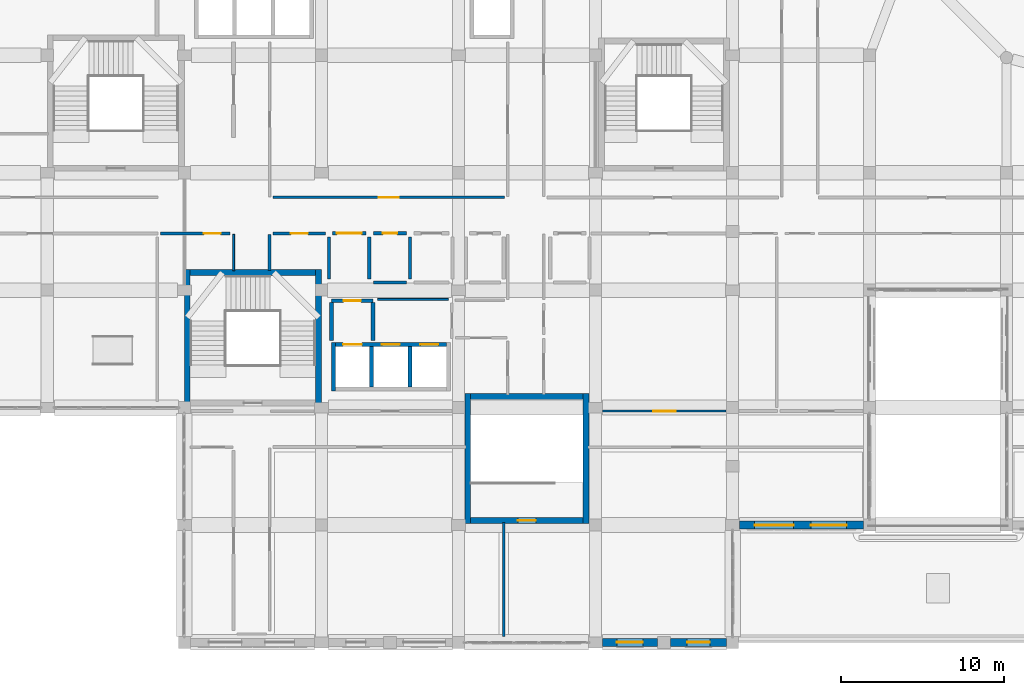
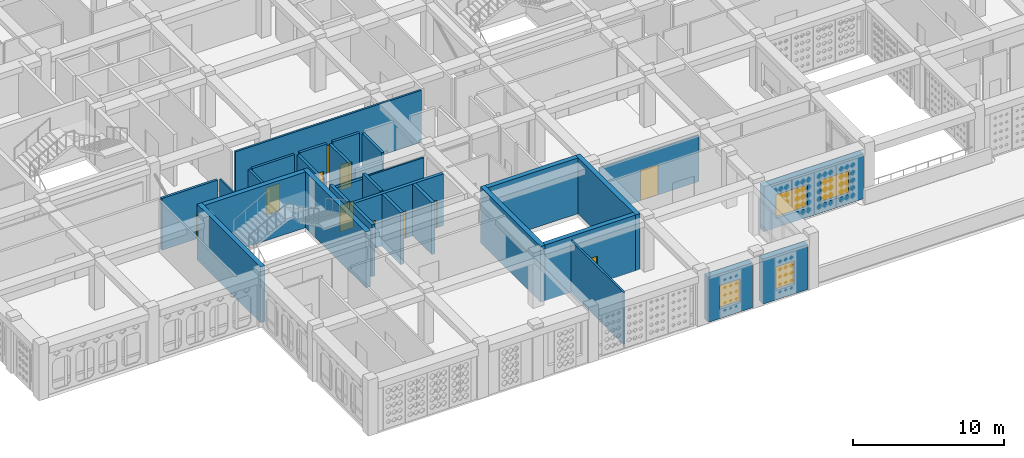
# One storey, part 56 of 111: 31 walls, 11 doors, 4 windows, 15 openings.
"""IFC4 building model written with IfcOpenShell, lengths in metres."""

from ifc_helpers import new_model, si_unit, derived_unit, direction, frame, frame_2d, origin, place, context, subcontext, project, spatial, rectangle, extrude, material, layer, layer_set, type_object, element, fill, save


model = new_model("IFC4")

# Units and contexts
model_context = context("Model", 3, precision=1e-05, world=origin(), true_north=direction((0.0, 1.0)))
body_context = subcontext(model_context, "Body", "Model", "MODEL_VIEW")
ifc_project = project(units=[si_unit("LENGTHUNIT", "METRE"), si_unit("AREAUNIT", "SQUARE_METRE"), si_unit("VOLUMEUNIT", "CUBIC_METRE"), si_unit("PLANEANGLEUNIT", "RADIAN"), si_unit("MASSUNIT", "GRAM", prefix="KILO"), derived_unit("THERMALTRANSMITTANCEUNIT", [(si_unit("POWERUNIT", "WATT"), 1), (si_unit("LENGTHUNIT", "METRE"), -2), (si_unit("THERMODYNAMICTEMPERATUREUNIT", "KELVIN"), -1)])], contexts=[model_context])

# Site, building, storey
site_placement = place(None, origin())
site = spatial("IfcSite", under=ifc_project, at=site_placement, CompositionType="ELEMENT")
building_placement = place(site_placement, origin())
building = spatial("IfcBuilding", under=site, at=building_placement, Name="Veybourne Emporium", CompositionType="ELEMENT")
storey_placement = place(building_placement, frame((0.0, 0.0, 9.89990234375)))
storey = spatial("IfcBuildingStorey", under=building, at=storey_placement, Name="L02", CompositionType="ELEMENT", Elevation=9.89990234375)

# Wall, opening, window
ifc_material_1 = material(Name="Portland Limestone Ashlar", Category="masonry")
ifc_layer_1 = layer(ifc_material_1, 0.47998046875)
ifc_layer_set_1 = layer_set([ifc_layer_1], Name="Portland Limestone Ashlar")
wall_type_1 = type_object("IfcWallType", Name="ExtWall_EW-01", PredefinedType="SOLIDWALL", material=ifc_layer_set_1)
wall_1_placement = place(storey_placement, frame((50.02490234375, 0.0, 0.0), z_axis=(0.0, 0.0, 1.0), x_axis=(-1.0, 0.0, 0.0)))
wall_1 = element("IfcWall", 1, at=wall_1_placement, inside=storey, type_object=wall_type_1, Name="L02 Portland stone external wall 026A", PredefinedType="SOLIDWALL", context=body_context, shape_type="SweptSolid", body=[
    extrude(rectangle(XDim=3.4248046875, YDim=0.47998046875, at=frame_2d((1.71240234375, 0.0))), origin(), (0.0, 0.0, 1.0), 3.630126953125),
])
opening_1_placement = place(wall_1_placement, frame((1.012451171875, 0.0, 0.75)))
opening_1 = element("IfcOpeningElement", 2, at=opening_1_placement, cuts=wall_1, Name="Opening W-02", PredefinedType="OPENING", context=body_context, shape_type="SweptSolid", body=[
    extrude(rectangle(XDim=1.39990234375, YDim=1.89990234375, at=frame_2d((0.699951171875, 0.949951171875))), frame((0.0, 0.260009765625, 0.0), z_axis=(0.0, -1.0, 0.0), x_axis=(1.0, 0.0, 0.0)), (0.0, 0.0, 1.0), 0.52001953125),
])
ifc_material_2 = material(Name="Low-E Triple Glazing", Category="glass")
window_type_1 = type_object("IfcWindowType", Name="Win_W-02", PartitioningType="DOUBLE_PANEL_VERTICAL", PredefinedType="WINDOW", material=ifc_material_2)
window_1_placement = place(opening_1_placement, origin())
window_1 = element("IfcWindow", 3, at=window_1_placement, inside=storey, type_object=window_type_1, Name="L02 tripartite bronze casement window W-02 (26A)", OverallHeight=1.89990234375, OverallWidth=1.39990234375, PartitioningType="DOUBLE_PANEL_VERTICAL", PredefinedType="WINDOW", context=body_context, shape_type="SweptSolid", body=[
    extrude(rectangle(XDim=1.39990234375, YDim=1.89990234375, at=frame_2d((0.699951171875, 0.949951171875))), frame((0.0, 0.030029296875, 0.0), z_axis=(0.0, -1.0, 0.0), x_axis=(1.0, 0.0, 0.0)), (0.0, 0.0, 1.0), 0.06005859375),
])
fill(opening_1, window_1)

wall_2_placement = place(storey_placement, frame((45.800048828125, 0.0, 0.0), z_axis=(0.0, 0.0, 1.0), x_axis=(-1.0, 0.0, 0.0)))
wall_2 = element("IfcWall", 4, at=wall_2_placement, inside=storey, type_object=wall_type_1, Name="L02 Portland stone external wall 026B", PredefinedType="SOLIDWALL", context=body_context, shape_type="SweptSolid", body=[
    extrude(rectangle(XDim=3.375, YDim=0.47998046875, at=frame_2d((1.6875, 0.0))), origin(), (0.0, 0.0, 1.0), 3.630126953125),
])
opening_2_placement = place(wall_2_placement, frame((0.887451171875, 0.0, 0.75)))
opening_2 = element("IfcOpeningElement", 5, at=opening_2_placement, cuts=wall_2, Name="Opening W-03", PredefinedType="OPENING", context=body_context, shape_type="SweptSolid", body=[
    extrude(rectangle(XDim=1.60009765625, YDim=1.89990234375, at=frame_2d((0.800048828125, 0.949951171875))), frame((0.0, 0.260009765625, 0.0), z_axis=(0.0, -1.0, 0.0), x_axis=(1.0, 0.0, 0.0)), (0.0, 0.0, 1.0), 0.52001953125),
])
window_type_2 = type_object("IfcWindowType", Name="Win_W-03", PartitioningType="DOUBLE_PANEL_VERTICAL", PredefinedType="WINDOW", material=ifc_material_2)
window_2_placement = place(opening_2_placement, origin())
window_2 = element("IfcWindow", 6, at=window_2_placement, inside=storey, type_object=window_type_2, Name="L02 tripartite bronze casement window W-03 (26B)", OverallHeight=1.89990234375, OverallWidth=1.60009765625, PartitioningType="DOUBLE_PANEL_VERTICAL", PredefinedType="WINDOW", context=body_context, shape_type="SweptSolid", body=[
    extrude(rectangle(XDim=1.60009765625, YDim=1.89990234375, at=frame_2d((0.800048828125, 0.949951171875))), frame((0.0, 0.030029296875, 0.0), z_axis=(0.0, -1.0, 0.0), x_axis=(1.0, 0.0, 0.0)), (0.0, 0.0, 1.0), 0.06005859375),
])
fill(opening_2, window_2)

# Wall, openings, windows
wall_3_placement = place(storey_placement, frame((58.425048828125, 7.199951171875, 0.0), z_axis=(0.0, 0.0, 1.0), x_axis=(-1.0, 0.0, 0.0)))
wall_3 = element("IfcWall", 7, at=wall_3_placement, inside=storey, type_object=wall_type_1, Name="L02 Portland stone external wall 029", PredefinedType="SOLIDWALL", context=body_context, shape_type="SweptSolid", body=[
    extrude(rectangle(XDim=7.60009765625, YDim=0.47998046875, at=frame_2d((3.800048828125, 0.0))), origin(), (0.0, 0.0, 1.0), 3.630126953125),
])
opening_3_placement = place(wall_3_placement, frame((1.028076171875, 0.0, 0.75)))
opening_3 = element("IfcOpeningElement", 8, at=opening_3_placement, cuts=wall_3, Name="Opening W-06", PredefinedType="OPENING", context=body_context, shape_type="SweptSolid", body=[
    extrude(rectangle(XDim=2.199951171875, YDim=1.89990234375, at=frame_2d((1.10009765625, 0.949951171875))), frame((0.0, 0.260009765625, 0.0), z_axis=(0.0, -1.0, 0.0), x_axis=(1.0, 0.0, 0.0)), (0.0, 0.0, 1.0), 0.52001953125),
])
opening_4_placement = place(wall_3_placement, frame((4.27197265625, 0.0, 0.75)))
opening_4 = element("IfcOpeningElement", 9, at=opening_4_placement, cuts=wall_3, Name="Opening W-07", PredefinedType="OPENING", context=body_context, shape_type="SweptSolid", body=[
    extrude(rectangle(XDim=2.39990234375, YDim=1.89990234375, at=frame_2d((1.199951171875, 0.949951171875))), frame((0.0, 0.260009765625, 0.0), z_axis=(0.0, -1.0, 0.0), x_axis=(1.0, 0.0, 0.0)), (0.0, 0.0, 1.0), 0.52001953125),
])
window_type_3 = type_object("IfcWindowType", Name="Win_W-06", PartitioningType="TRIPLE_PANEL_VERTICAL", PredefinedType="WINDOW", material=ifc_material_2)
window_3_placement = place(opening_3_placement, origin())
window_3 = element("IfcWindow", 10, at=window_3_placement, inside=storey, type_object=window_type_3, Name="L02 tripartite bronze casement window W-06 (29.1)", OverallHeight=1.89990234375, OverallWidth=2.199951171875, PartitioningType="TRIPLE_PANEL_VERTICAL", PredefinedType="WINDOW", context=body_context, shape_type="SweptSolid", body=[
    extrude(rectangle(XDim=2.199951171875, YDim=1.89990234375, at=frame_2d((1.10009765625, 0.949951171875))), frame((0.0, 0.030029296875, 0.0), z_axis=(0.0, -1.0, 0.0), x_axis=(1.0, 0.0, 0.0)), (0.0, 0.0, 1.0), 0.06005859375),
])
fill(opening_3, window_3)
window_type_4 = type_object("IfcWindowType", Name="Win_W-07", PartitioningType="TRIPLE_PANEL_VERTICAL", PredefinedType="WINDOW", material=ifc_material_2)
window_4_placement = place(opening_4_placement, origin())
window_4 = element("IfcWindow", 11, at=window_4_placement, inside=storey, type_object=window_type_4, Name="L02 tripartite bronze casement window W-07 (29.2)", OverallHeight=1.89990234375, OverallWidth=2.39990234375, PartitioningType="TRIPLE_PANEL_VERTICAL", PredefinedType="WINDOW", context=body_context, shape_type="SweptSolid", body=[
    extrude(rectangle(XDim=2.39990234375, YDim=1.89990234375, at=frame_2d((1.199951171875, 0.949951171875))), frame((0.0, 0.030029296875, 0.0), z_axis=(0.0, -1.0, 0.0), x_axis=(1.0, 0.0, 0.0)), (0.0, 0.0, 1.0), 0.06005859375),
])
fill(opening_4, window_4)

# Walls
ifc_material_3 = material(Name="Concrete C40/50", Category="concrete")
ifc_layer_2 = layer(ifc_material_3, 0.35009765625)
ifc_layer_set_2 = layer_set([ifc_layer_2], Name="Concrete C40/50")
wall_type_2 = type_object("IfcWallType", Name="IntWall_CW-02", PredefinedType="SHEAR", material=ifc_layer_set_2)
wall_4_placement = place(storey_placement, frame((17.14990234375, 22.675048828125, 0.0), z_axis=(0.0, 0.0, 1.0), x_axis=(1.0, 0.0, 0.0)))
element("IfcWall", 12, at=wall_4_placement, inside=storey, type_object=wall_type_2, Name="Core stair ST-01 north shear wall (L02)", PredefinedType="SHEAR", context=body_context, shape_type="SweptSolid", body=[
    extrude(rectangle(XDim=7.7001953125, YDim=0.35009765625, at=frame_2d((3.85009765625, 0.0))), origin(), (0.0, 0.0, 1.0), 4.5),
])
for number, where, z_axis, x_axis, name in (
    (13, (16.97509765625, 22.85009765625, 0.0), (0.0, 0.0, 1.0), (0.0, -1.0, 0.0), "Core stair ST-01 west shear wall (L02)"),
    (14, (25.02490234375, 14.5, 0.0), (0.0, 0.0, 1.0), (0.0, 1.0, 0.0), "Core stair ST-01 east shear wall (L02)"),
):
    element("IfcWall", number, at=place(storey_placement, frame(where, z_axis=z_axis, x_axis=x_axis)), inside=storey, type_object=wall_type_2, Name=name, PredefinedType="SHEAR", context=body_context, shape_type="SweptSolid", body=[
        extrude(rectangle(XDim=8.35009765625, YDim=0.35009765625, at=frame_2d((4.175048828125, 0.0))), origin(), (0.0, 0.0, 1.0), 4.5),
    ])

# Wall, opening, door
wall_5_placement = place(storey_placement, frame((41.25, 7.47509765625, 0.0), z_axis=(0.0, 0.0, 1.0), x_axis=(-1.0, 0.0, 0.0)))
wall_5 = element("IfcWall", 15, at=wall_5_placement, inside=storey, type_object=wall_type_2, Name="Core stair ST-12 south shear wall (L02)", PredefinedType="SHEAR", context=body_context, shape_type="SweptSolid", body=[
    extrude(rectangle(XDim=6.89990234375, YDim=0.35009765625, at=frame_2d((3.449951171875, 0.0))), origin(), (0.0, 0.0, 1.0), 4.5),
])
opening_5_placement = place(wall_5_placement, frame((2.89990234375, 0.0, 0.0)))
opening_5 = element("IfcOpeningElement", 16, at=opening_5_placement, cuts=wall_5, Name="Opening FD-01", PredefinedType="OPENING", context=body_context, shape_type="SweptSolid", body=[
    extrude(rectangle(XDim=1.10009765625, YDim=2.199951171875, at=frame_2d((0.550048828125, 1.10009765625))), frame((0.0, 0.195068359375, 0.0), z_axis=(0.0, -1.0, 0.0), x_axis=(1.0, 0.0, 0.0)), (0.0, 0.0, 1.0), 0.39013671875),
])
ifc_material_4 = material(Name="Patinated Architectural Bronze", Category="bronze")
door_type_1 = type_object("IfcDoorType", Name="FireDoor_FD-01", OperationType="NOTDEFINED", PredefinedType="DOOR", material=ifc_material_4)
door_1_placement = place(opening_5_placement, origin())
door_1 = element("IfcDoor", 17, at=door_1_placement, inside=storey, type_object=door_type_1, Name="Stair ST-12 fire door (L02)", OperationType="SINGLE_SWING_LEFT", OverallHeight=2.199951171875, OverallWidth=1.10009765625, PredefinedType="DOOR", context=body_context, shape_type="SweptSolid", body=[
    extrude(rectangle(XDim=1.10009765625, YDim=2.199951171875, at=frame_2d((0.550048828125, 1.10009765625))), frame((0.0, 0.02490234375, 0.0), z_axis=(0.0, -1.0, 0.0), x_axis=(1.0, 0.0, 0.0)), (0.0, 0.0, 1.0), 0.050048828125),
])
fill(opening_5, door_1)

# Walls
wall_6_placement = place(storey_placement, frame((34.35009765625, 15.074951171875, 0.0), z_axis=(0.0, 0.0, 1.0), x_axis=(1.0, 0.0, 0.0)))
element("IfcWall", 18, at=wall_6_placement, inside=storey, type_object=wall_type_2, Name="Core stair ST-12 north shear wall (L02)", PredefinedType="SHEAR", context=body_context, shape_type="SweptSolid", body=[
    extrude(rectangle(XDim=6.89990234375, YDim=0.35009765625, at=frame_2d((3.449951171875, 0.0))), origin(), (0.0, 0.0, 1.0), 4.5),
])
for number, where, z_axis, x_axis, name in (
    (19, (34.175048828125, 15.25, 0.0), (0.0, 0.0, 1.0), (0.0, -1.0, 0.0), "Core stair ST-12 west shear wall (L02)"),
    (20, (41.425048828125, 7.300048828125, 0.0), (0.0, 0.0, 1.0), (0.0, 1.0, 0.0), "Core stair ST-12 east shear wall (L02)"),
):
    element("IfcWall", number, at=place(storey_placement, frame(where, z_axis=z_axis, x_axis=x_axis)), inside=storey, type_object=wall_type_2, Name=name, PredefinedType="SHEAR", context=body_context, shape_type="SweptSolid", body=[
        extrude(rectangle(XDim=7.949951171875, YDim=0.35009765625, at=frame_2d((3.97509765625, 0.0))), origin(), (0.0, 0.0, 1.0), 4.5),
    ])

# Wall, openings, doors
ifc_layer_3 = layer(ifc_material_3, 0.239990234375)
ifc_layer_set_3 = layer_set([ifc_layer_3], Name="Concrete C40/50")
wall_type_3 = type_object("IfcWallType", Name="IntWall_CW-04", PredefinedType="SHEAR", material=ifc_layer_set_3)
wall_7_placement = place(storey_placement, frame((32.8798828125, 18.27001953125, 0.0), z_axis=(0.0, 0.0, 1.0), x_axis=(-1.0, 0.0, 0.0)))
wall_7 = element("IfcWall", 21, at=wall_7_placement, inside=storey, type_object=wall_type_3, Name="Lift core C1 north shaft wall (L02)", PredefinedType="SHEAR", context=body_context, shape_type="SweptSolid", body=[
    extrude(rectangle(XDim=6.81982421875, YDim=0.239990234375, at=frame_2d((3.409912109375, 0.0))), origin(), (0.0, 0.0, 1.0), 4.18017578125),
])
opening_6_placement = place(wall_7_placement, frame((5.195068359375, 0.0, 0.0)))
opening_6 = element("IfcOpeningElement", 22, at=opening_6_placement, cuts=wall_7, Name="Opening LD-02", PredefinedType="OPENING", context=body_context, shape_type="SweptSolid", body=[
    extrude(rectangle(XDim=1.14990234375, YDim=2.25, at=frame_2d((0.574951171875, 1.125))), frame((0.0, 0.14013671875, 0.0), z_axis=(0.0, -1.0, 0.0), x_axis=(1.0, 0.0, 0.0)), (0.0, 0.0, 1.0), 0.280029296875),
])
opening_7_placement = place(wall_7_placement, frame((2.8701171875, 0.0, 0.0)))
opening_7 = element("IfcOpeningElement", 23, at=opening_7_placement, cuts=wall_7, Name="Opening LD-01", PredefinedType="OPENING", context=body_context, shape_type="SweptSolid", body=[
    extrude(rectangle(XDim=1.10009765625, YDim=2.199951171875, at=frame_2d((0.550048828125, 1.10009765625))), frame((0.0, 0.14013671875, 0.0), z_axis=(0.0, -1.0, 0.0), x_axis=(1.0, 0.0, 0.0)), (0.0, 0.0, 1.0), 0.280029296875),
])
opening_8_placement = place(wall_7_placement, frame((0.510009765625, 0.0, 0.0)))
opening_8 = element("IfcOpeningElement", 24, at=opening_8_placement, cuts=wall_7, Name="Opening LD-01", PredefinedType="OPENING", context=body_context, shape_type="SweptSolid", body=[
    extrude(rectangle(XDim=1.10009765625, YDim=2.199951171875, at=frame_2d((0.550048828125, 1.10009765625))), frame((0.0, 0.14013671875, 0.0), z_axis=(0.0, -1.0, 0.0), x_axis=(1.0, 0.0, 0.0)), (0.0, 0.0, 1.0), 0.280029296875),
])
door_type_2 = type_object("IfcDoorType", Name="FireDoor_LD-01", OperationType="DOUBLE_DOOR_SLIDING", PredefinedType="DOOR", material=ifc_material_4)
door_2_placement = place(opening_7_placement, origin())
door_2 = element("IfcDoor", 25, at=door_2_placement, inside=storey, type_object=door_type_2, Name="Lift PL-01 sliding landing door (L02)", OperationType="DOUBLE_DOOR_SLIDING", OverallHeight=2.199951171875, OverallWidth=1.10009765625, PredefinedType="DOOR", context=body_context, shape_type="SweptSolid", body=[
    extrude(rectangle(XDim=1.10009765625, YDim=2.199951171875, at=frame_2d((0.550048828125, 1.10009765625))), frame((0.0, 0.02490234375, 0.0), z_axis=(0.0, -1.0, 0.0), x_axis=(1.0, 0.0, 0.0)), (0.0, 0.0, 1.0), 0.050048828125),
])
fill(opening_7, door_2)
door_3_placement = place(opening_8_placement, origin())
door_3 = element("IfcDoor", 26, at=door_3_placement, inside=storey, type_object=door_type_2, Name="Lift PL-02 sliding landing door (L02)", OperationType="DOUBLE_DOOR_SLIDING", OverallHeight=2.199951171875, OverallWidth=1.10009765625, PredefinedType="DOOR", context=body_context, shape_type="SweptSolid", body=[
    extrude(rectangle(XDim=1.10009765625, YDim=2.199951171875, at=frame_2d((0.550048828125, 1.10009765625))), frame((0.0, 0.02490234375, 0.0), z_axis=(0.0, -1.0, 0.0), x_axis=(1.0, 0.0, 0.0)), (0.0, 0.0, 1.0), 0.050048828125),
])
fill(opening_8, door_3)
door_type_3 = type_object("IfcDoorType", Name="FireDoor_LD-02", OperationType="SLIDING_TO_LEFT", PredefinedType="DOOR", material=ifc_material_4)
door_4_placement = place(opening_6_placement, origin())
door_4 = element("IfcDoor", 27, at=door_4_placement, inside=storey, type_object=door_type_3, Name="Lift FFL-01 sliding landing door (L02)", OperationType="SLIDING_TO_LEFT", OverallHeight=2.25, OverallWidth=1.14990234375, PredefinedType="DOOR", context=body_context, shape_type="SweptSolid", body=[
    extrude(rectangle(XDim=1.14990234375, YDim=2.25, at=frame_2d((0.574951171875, 1.125))), frame((0.0, 0.02490234375, 0.0), z_axis=(0.0, -1.0, 0.0), x_axis=(1.0, 0.0, 0.0)), (0.0, 0.0, 1.0), 0.050048828125),
])
fill(opening_6, door_4)

# Walls
wall_8_placement = place(storey_placement, frame((25.93994140625, 18.389892578125, 0.0), z_axis=(0.0, 0.0, 1.0), x_axis=(0.0, -1.0, 0.0)))
element("IfcWall", 28, at=wall_8_placement, inside=storey, type_object=wall_type_3, Name="Lift core C1 west shaft wall (L02)", PredefinedType="SHEAR", context=body_context, shape_type="SweptSolid", body=[
    extrude(rectangle(XDim=2.97998046875, YDim=0.239990234375, at=frame_2d((1.489990234375, 0.0))), origin(), (0.0, 0.0, 1.0), 4.18017578125),
])
for number, where, z_axis, x_axis, name in (
    (29, (28.280029296875, 15.64990234375, 0.0), (0.0, 0.0, 1.0), (0.0, 1.0, 0.0), "Lift core C1 divider wall 1 (L02)"),
    (30, (30.639892578125, 15.64990234375, 0.0), (0.0, 0.0, 1.0), (0.0, 1.0, 0.0), "Lift core C1 divider wall 2 (L02)"),
):
    element("IfcWall", number, at=place(storey_placement, frame(where, z_axis=z_axis, x_axis=x_axis)), inside=storey, type_object=wall_type_3, Name=name, PredefinedType="SHEAR", context=body_context, shape_type="SweptSolid", body=[
        extrude(rectangle(XDim=2.5, YDim=0.239990234375, at=frame_2d((1.25, 0.0))), origin(), (0.0, 0.0, 1.0), 4.18017578125),
    ])

# Wall, opening, door
ifc_material_5 = material(Name="Concrete C32/40", Category="concrete")
ifc_layer_4 = layer(ifc_material_5, 0.219970703125)
ifc_layer_set_4 = layer_set([ifc_layer_4], Name="Concrete C32/40")
wall_type_4 = type_object("IfcWallType", Name="IntWall_FW-02", PredefinedType="SOLIDWALL", material=ifc_layer_set_4)
wall_9_placement = place(storey_placement, frame((25.820068359375, 20.949951171875, 0.0), z_axis=(0.0, 0.0, 1.0), x_axis=(1.0, 0.0, 0.0)))
wall_9 = element("IfcWall", 31, at=wall_9_placement, inside=storey, type_object=wall_type_4, Name="Firefighting lobby C1 fire wall N (L02)", PredefinedType="SOLIDWALL", context=body_context, shape_type="SweptSolid", body=[
    extrude(rectangle(XDim=2.5400390625, YDim=0.219970703125, at=frame_2d((1.27001953125, 0.0))), origin(), (0.0, 0.0, 1.0), 3.72998046875),
])
opening_9_placement = place(wall_9_placement, frame((0.7451171875, 0.0, 0.0)))
opening_9 = element("IfcOpeningElement", 32, at=opening_9_placement, cuts=wall_9, Name="Opening FD-02", PredefinedType="OPENING", context=body_context, shape_type="SweptSolid", body=[
    extrude(rectangle(XDim=1.050048828125, YDim=2.14990234375, at=frame_2d((0.52490234375, 1.074951171875))), frame((0.0, 0.1298828125, 0.0), z_axis=(0.0, -1.0, 0.0), x_axis=(1.0, 0.0, 0.0)), (0.0, 0.0, 1.0), 0.260009765625),
])
door_type_4 = type_object("IfcDoorType", Name="FireDoor_FD-02", OperationType="NOTDEFINED", PredefinedType="DOOR", material=ifc_material_4)
door_5_placement = place(opening_9_placement, origin())
door_5 = element("IfcDoor", 33, at=door_5_placement, inside=storey, type_object=door_type_4, Name="Firefighting lobby C1 FD60S door N (L02)", OperationType="SINGLE_SWING_LEFT", OverallHeight=2.14990234375, OverallWidth=1.050048828125, PredefinedType="DOOR", context=body_context, shape_type="SweptSolid", body=[
    extrude(rectangle(XDim=1.050048828125, YDim=2.14990234375, at=frame_2d((0.52490234375, 1.074951171875))), frame((0.0, 0.02490234375, 0.0), z_axis=(0.0, -1.0, 0.0), x_axis=(1.0, 0.0, 0.0)), (0.0, 0.0, 1.0), 0.050048828125),
])
fill(opening_9, door_5)

# Walls
for number, where, z_axis, x_axis, name in (
    (34, (25.820068359375, 18.510009765625, 0.0), (0.0, 0.0, 1.0), (0.0, 1.0, 0.0), "Firefighting lobby C1 fire wall W (L02)"),
    (35, (28.360107421875, 18.510009765625, 0.0), (0.0, 0.0, 1.0), (0.0, 1.0, 0.0), "Firefighting lobby C1 fire wall E (L02)"),
):
    element("IfcWall", number, at=place(storey_placement, frame(where, z_axis=z_axis, x_axis=x_axis)), inside=storey, type_object=wall_type_4, Name=name, PredefinedType="SOLIDWALL", context=body_context, shape_type="SweptSolid", body=[
        extrude(rectangle(XDim=2.320068359375, YDim=0.219970703125, at=frame_2d((1.16015625, 0.0))), origin(), (0.0, 0.0, 1.0), 4.18017578125),
    ])

# Wall, opening, door
ifc_material_6 = material(Name="Gypsum Acoustic Board", Category="gypsum")
ifc_layer_5 = layer(ifc_material_6, 0.179931640625)
ifc_layer_set_5 = layer_set([ifc_layer_5], Name="Gypsum Acoustic Board")
wall_type_5 = type_object("IfcWallType", Name="IntWall_IW-01", PredefinedType="PARTITIONING", material=ifc_layer_set_5)
wall_10_placement = place(storey_placement, frame((15.340087890625, 25.070068359375, 0.0), z_axis=(0.0, 0.0, 1.0), x_axis=(1.0, 0.0, 0.0)))
wall_10 = element("IfcWall", 36, at=wall_10_placement, inside=storey, type_object=wall_type_5, Name="L02 interior partition IW-01 #090", PredefinedType="PARTITIONING", context=body_context, shape_type="SweptSolid", body=[
    extrude(rectangle(XDim=4.27001953125, YDim=0.179931640625, at=frame_2d((2.135009765625, 0.0))), origin(), (0.0, 0.0, 1.0), 4.18017578125),
])
opening_10_placement = place(wall_10_placement, frame((2.648681640625, 0.0, 0.0)))
opening_10 = element("IfcOpeningElement", 37, at=opening_10_placement, cuts=wall_10, Name="Opening D-02", PredefinedType="OPENING", context=body_context, shape_type="SweptSolid", body=[
    extrude(rectangle(XDim=1.0400390625, YDim=2.050048828125, at=frame_2d((0.52001953125, 1.02490234375))), frame((0.0, 0.10986328125, 0.0), z_axis=(0.0, -1.0, 0.0), x_axis=(1.0, 0.0, 0.0)), (0.0, 0.0, 1.0), 0.219970703125),
])
ifc_material_7 = material(Name="European Oak Veneer and Bronze", Category="wood")
door_type_5 = type_object("IfcDoorType", Name="IntDoor_D-02", OperationType="NOTDEFINED", PredefinedType="DOOR", material=ifc_material_7)
door_6_placement = place(opening_10_placement, origin())
door_6 = element("IfcDoor", 38, at=door_6_placement, inside=storey, type_object=door_type_5, Name="L02 interior door D-02 (PART-L02-090)", OperationType="SINGLE_SWING_LEFT", OverallHeight=2.050048828125, OverallWidth=1.0400390625, PredefinedType="DOOR", context=body_context, shape_type="SweptSolid", body=[
    extrude(rectangle(XDim=1.0400390625, YDim=2.050048828125, at=frame_2d((0.52001953125, 1.02490234375))), frame((0.0, 0.02490234375, 0.0), z_axis=(0.0, -1.0, 0.0), x_axis=(1.0, 0.0, 0.0)), (0.0, 0.0, 1.0), 0.050048828125),
])
fill(opening_10, door_6)

wall_11_placement = place(storey_placement, frame((22.239990234375, 25.070068359375, 0.0), z_axis=(0.0, 0.0, 1.0), x_axis=(1.0, 0.0, 0.0)))
wall_11 = element("IfcWall", 39, at=wall_11_placement, inside=storey, type_object=wall_type_5, Name="L02 interior partition IW-01 #102", PredefinedType="PARTITIONING", context=body_context, shape_type="SweptSolid", body=[
    extrude(rectangle(XDim=3.219970703125, YDim=0.179931640625, at=frame_2d((1.60986328125, 0.0))), origin(), (0.0, 0.0, 1.0), 4.18017578125),
])
opening_11_placement = place(wall_11_placement, frame((1.090087890625, 0.0, 0.0)))
opening_11 = element("IfcOpeningElement", 40, at=opening_11_placement, cuts=wall_11, Name="Opening D-14", PredefinedType="OPENING", context=body_context, shape_type="SweptSolid", body=[
    extrude(rectangle(XDim=1.0400390625, YDim=2.2099609375, at=frame_2d((0.52001953125, 1.10498046875))), frame((0.0, 0.10986328125, 0.0), z_axis=(0.0, -1.0, 0.0), x_axis=(1.0, 0.0, 0.0)), (0.0, 0.0, 1.0), 0.219970703125),
])
door_type_6 = type_object("IfcDoorType", Name="IntDoor_D-14", OperationType="NOTDEFINED", PredefinedType="DOOR", material=ifc_material_7)
door_7_placement = place(opening_11_placement, origin())
door_7 = element("IfcDoor", 41, at=door_7_placement, inside=storey, type_object=door_type_6, Name="L02 interior door D-14 (PART-L02-102)", OperationType="SINGLE_SWING_RIGHT", OverallHeight=2.2099609375, OverallWidth=1.0400390625, PredefinedType="DOOR", context=body_context, shape_type="SweptSolid", body=[
    extrude(rectangle(XDim=1.0400390625, YDim=2.2099609375, at=frame_2d((0.52001953125, 1.10498046875))), frame((0.0, 0.02490234375, 0.0), z_axis=(0.0, -1.0, 0.0), x_axis=(1.0, 0.0, 0.0)), (0.0, 0.0, 1.0), 0.050048828125),
])
fill(opening_11, door_7)

# Wall
wall_12_placement = place(storey_placement, frame((22.030029296875, 22.7900390625, 0.0), z_axis=(0.0, 0.0, 1.0), x_axis=(0.0, 1.0, 0.0)))
element("IfcWall", 42, at=wall_12_placement, inside=storey, type_object=wall_type_5, Name="L02 interior partition IW-01 #123", PredefinedType="PARTITIONING", context=body_context, shape_type="SweptSolid", body=[
    extrude(rectangle(XDim=2.22998046875, YDim=0.179931640625, at=frame_2d((1.114990234375, 0.0))), origin(), (0.0, 0.0, 1.0), 4.18017578125),
])

# Wall, opening, door
ifc_layer_6 = layer(ifc_material_6, 0.14990234375)
ifc_layer_set_6 = layer_set([ifc_layer_6], Name="Gypsum Acoustic Board")
wall_type_6 = type_object("IfcWallType", Name="IntWall_IW-02", PredefinedType="PARTITIONING", material=ifc_layer_set_6)
wall_13_placement = place(storey_placement, frame((22.239990234375, 27.280029296875, 0.0), z_axis=(0.0, 0.0, 1.0), x_axis=(1.0, 0.0, 0.0)))
wall_13 = element("IfcWall", 43, at=wall_13_placement, inside=storey, type_object=wall_type_6, Name="L02 interior partition IW-02 #031", PredefinedType="PARTITIONING", context=body_context, shape_type="SweptSolid", body=[
    extrude(rectangle(XDim=14.169921875, YDim=0.14990234375, at=frame_2d((7.0849609375, 0.0))), origin(), (0.0, 0.0, 1.0), 4.18017578125),
])
opening_12_placement = place(wall_13_placement, frame((6.485107421875, 0.0, 0.0)))
opening_12 = element("IfcOpeningElement", 44, at=opening_12_placement, cuts=wall_13, Name="Opening D-15", PredefinedType="OPENING", context=body_context, shape_type="SweptSolid", body=[
    extrude(rectangle(XDim=1.199951171875, YDim=2.2099609375, at=frame_2d((0.60009765625, 1.10498046875))), frame((0.0, 0.094970703125, 0.0), z_axis=(0.0, -1.0, 0.0), x_axis=(1.0, 0.0, 0.0)), (0.0, 0.0, 1.0), 0.18994140625),
])
door_type_7 = type_object("IfcDoorType", Name="IntDoor_D-15", OperationType="NOTDEFINED", PredefinedType="DOOR", material=ifc_material_7)
door_8_placement = place(opening_12_placement, origin())
door_8 = element("IfcDoor", 45, at=door_8_placement, inside=storey, type_object=door_type_7, Name="L02 interior door D-15 (PART-L02-031)", OperationType="SINGLE_SWING_RIGHT", OverallHeight=2.2099609375, OverallWidth=1.199951171875, PredefinedType="DOOR", context=body_context, shape_type="SweptSolid", body=[
    extrude(rectangle(XDim=1.199951171875, YDim=2.2099609375, at=frame_2d((0.60009765625, 1.10498046875))), frame((0.0, 0.02490234375, 0.0), z_axis=(0.0, -1.0, 0.0), x_axis=(1.0, 0.0, 0.0)), (0.0, 0.0, 1.0), 0.050048828125),
])
fill(opening_12, door_8)

# Wall
wall_14_placement = place(storey_placement, frame((36.3798828125, 0.3701171875, 0.0), z_axis=(0.0, 0.0, 1.0), x_axis=(0.0, 1.0, 0.0)))
element("IfcWall", 46, at=wall_14_placement, inside=storey, type_object=wall_type_6, Name="L02 interior partition IW-02 #190", PredefinedType="PARTITIONING", context=body_context, shape_type="SweptSolid", body=[
    extrude(rectangle(XDim=6.989990234375, YDim=0.14990234375, at=frame_2d((3.4951171875, 0.0))), origin(), (0.0, 0.0, 1.0), 4.18017578125),
])

# Wall, opening, door
ifc_layer_7 = layer(ifc_material_6, 0.1201171875)
ifc_layer_set_7 = layer_set([ifc_layer_7], Name="Gypsum Acoustic Board")
wall_type_7 = type_object("IfcWallType", Name="IntWall_IW-03", PredefinedType="PARTITIONING", material=ifc_layer_set_7)
wall_15_placement = place(storey_placement, frame((42.445068359375, 14.179931640625, 0.0), z_axis=(0.0, 0.0, 1.0), x_axis=(1.0, 0.0, 0.0)))
wall_15 = element("IfcWall", 47, at=wall_15_placement, inside=storey, type_object=wall_type_7, Name="L02 interior partition IW-03 #050", PredefinedType="PARTITIONING", context=body_context, shape_type="SweptSolid", body=[
    extrude(rectangle(XDim=7.559814453125, YDim=0.1201171875, at=frame_2d((3.77978515625, 0.0))), origin(), (0.0, 0.0, 1.0), 3.72998046875),
])
opening_13_placement = place(wall_15_placement, frame((3.10009765625, 0.0, 0.0)))
opening_13 = element("IfcOpeningElement", 48, at=opening_13_placement, cuts=wall_15, Name="Opening D-34", PredefinedType="OPENING", context=body_context, shape_type="SweptSolid", body=[
    extrude(rectangle(XDim=1.360107421875, YDim=2.449951171875, at=frame_2d((0.68017578125, 1.22509765625))), frame((0.0, 0.080078125, 0.0), z_axis=(0.0, -1.0, 0.0), x_axis=(1.0, 0.0, 0.0)), (0.0, 0.0, 1.0), 0.16015625),
])
door_type_8 = type_object("IfcDoorType", Name="IntDoor_D-34", OperationType="NOTDEFINED", PredefinedType="DOOR", material=ifc_material_7)
door_9_placement = place(opening_13_placement, origin())
door_9 = element("IfcDoor", 49, at=door_9_placement, inside=storey, type_object=door_type_8, Name="L02 interior door D-34 (PART-L02-050)", OperationType="SINGLE_SWING_LEFT", OverallHeight=2.449951171875, OverallWidth=1.360107421875, PredefinedType="DOOR", context=body_context, shape_type="SweptSolid", body=[
    extrude(rectangle(XDim=1.360107421875, YDim=2.449951171875, at=frame_2d((0.68017578125, 1.22509765625))), frame((0.0, 0.02490234375, 0.0), z_axis=(0.0, -1.0, 0.0), x_axis=(1.0, 0.0, 0.0)), (0.0, 0.0, 1.0), 0.050048828125),
])
fill(opening_13, door_9)

# Walls
wall_16_placement = place(storey_placement, frame((28.64990234375, 21.030029296875, 0.0), z_axis=(0.0, 0.0, 1.0), x_axis=(1.0, 0.0, 0.0)))
element("IfcWall", 50, at=wall_16_placement, inside=storey, type_object=wall_type_7, Name="L02 interior partition IW-03 #089", PredefinedType="PARTITIONING", context=body_context, shape_type="SweptSolid", body=[
    extrude(rectangle(XDim=4.340087890625, YDim=0.1201171875, at=frame_2d((2.169921875, 0.0))), origin(), (0.0, 0.0, 1.0), 3.72998046875),
])
wall_17_placement = place(storey_placement, frame((19.820068359375, 22.7900390625, 0.0), z_axis=(0.0, 0.0, 1.0), x_axis=(0.0, 1.0, 0.0)))
element("IfcWall", 51, at=wall_17_placement, inside=storey, type_object=wall_type_7, Name="L02 interior partition IW-03 #122", PredefinedType="PARTITIONING", context=body_context, shape_type="SweptSolid", body=[
    extrude(rectangle(XDim=2.22998046875, YDim=0.1201171875, at=frame_2d((1.114990234375, 0.0))), origin(), (0.0, 0.0, 1.0), 4.18017578125),
])

# Wall, opening, door
ifc_layer_8 = layer(ifc_material_6, 0.199951171875)
ifc_layer_set_8 = layer_set([ifc_layer_8], Name="Gypsum Acoustic Board")
wall_type_8 = type_object("IfcWallType", Name="IntWall_IW-04", PredefinedType="PLUMBINGWALL", material=ifc_layer_set_8)
wall_18_placement = place(storey_placement, frame((25.8798828125, 25.080078125, 0.0), z_axis=(0.0, 0.0, 1.0), x_axis=(1.0, 0.0, 0.0)))
wall_18 = element("IfcWall", 52, at=wall_18_placement, inside=storey, type_object=wall_type_8, Name="L02 interior partition IW-04 #129", PredefinedType="PLUMBINGWALL", context=body_context, shape_type="SweptSolid", body=[
    extrude(rectangle(XDim=2.0400390625, YDim=0.199951171875, at=frame_2d((1.02001953125, 0.0))), origin(), (0.0, 0.0, 1.0), 4.18017578125),
])
opening_14_placement = place(wall_18_placement, frame((0.260009765625, 0.0, 0.0)))
opening_14 = element("IfcOpeningElement", 53, at=opening_14_placement, cuts=wall_18, Name="Opening D-05", PredefinedType="OPENING", context=body_context, shape_type="SweptSolid", body=[
    extrude(rectangle(XDim=1.52001953125, YDim=2.050048828125, at=frame_2d((0.760009765625, 1.02490234375))), frame((0.0, 0.1201171875, 0.0), z_axis=(0.0, -1.0, 0.0), x_axis=(1.0, 0.0, 0.0)), (0.0, 0.0, 1.0), 0.239990234375),
])
door_type_9 = type_object("IfcDoorType", Name="IntDoor_D-05", OperationType="NOTDEFINED", PredefinedType="DOOR", material=ifc_material_7)
door_10_placement = place(opening_14_placement, origin())
door_10 = element("IfcDoor", 54, at=door_10_placement, inside=storey, type_object=door_type_9, Name="L02 interior door D-05 (PART-L02-129)", OperationType="SINGLE_SWING_RIGHT", OverallHeight=2.050048828125, OverallWidth=1.52001953125, PredefinedType="DOOR", context=body_context, shape_type="SweptSolid", body=[
    extrude(rectangle(XDim=1.52001953125, YDim=2.050048828125, at=frame_2d((0.760009765625, 1.02490234375))), frame((0.0, 0.02490234375, 0.0), z_axis=(0.0, -1.0, 0.0), x_axis=(1.0, 0.0, 0.0)), (0.0, 0.0, 1.0), 0.050048828125),
])
fill(opening_14, door_10)

wall_19_placement = place(storey_placement, frame((28.3798828125, 25.080078125, 0.0), z_axis=(0.0, 0.0, 1.0), x_axis=(1.0, 0.0, 0.0)))
wall_19 = element("IfcWall", 55, at=wall_19_placement, inside=storey, type_object=wall_type_8, Name="L02 interior partition IW-04 #130", PredefinedType="PLUMBINGWALL", context=body_context, shape_type="SweptSolid", body=[
    extrude(rectangle(XDim=2.0400390625, YDim=0.199951171875, at=frame_2d((1.02001953125, 0.0))), origin(), (0.0, 0.0, 1.0), 4.18017578125),
])
opening_15_placement = place(wall_19_placement, frame((0.580078125, 0.0, 0.0)))
opening_15 = element("IfcOpeningElement", 56, at=opening_15_placement, cuts=wall_19, Name="Opening D-01", PredefinedType="OPENING", context=body_context, shape_type="SweptSolid", body=[
    extrude(rectangle(XDim=0.8798828125, YDim=2.050048828125, at=frame_2d((0.43994140625, 1.02490234375))), frame((0.0, 0.1201171875, 0.0), z_axis=(0.0, -1.0, 0.0), x_axis=(1.0, 0.0, 0.0)), (0.0, 0.0, 1.0), 0.239990234375),
])
door_type_10 = type_object("IfcDoorType", Name="IntDoor_D-01", OperationType="NOTDEFINED", PredefinedType="DOOR", material=ifc_material_7)
door_11_placement = place(opening_15_placement, origin())
door_11 = element("IfcDoor", 57, at=door_11_placement, inside=storey, type_object=door_type_10, Name="L02 interior door D-01 (PART-L02-130)", OperationType="SINGLE_SWING_LEFT", OverallHeight=2.050048828125, OverallWidth=0.8798828125, PredefinedType="DOOR", context=body_context, shape_type="SweptSolid", body=[
    extrude(rectangle(XDim=0.8798828125, YDim=2.050048828125, at=frame_2d((0.43994140625, 1.02490234375))), frame((0.0, 0.02490234375, 0.0), z_axis=(0.0, -1.0, 0.0), x_axis=(1.0, 0.0, 0.0)), (0.0, 0.0, 1.0), 0.050048828125),
])
fill(opening_15, door_11)

# Walls
for number, where, z_axis, x_axis, name in (
    (58, (28.1298828125, 22.280029296875, 0.0), (0.0, 0.0, 1.0), (0.0, 1.0, 0.0), "L02 interior partition IW-04 #202"),
    (59, (25.669921875, 22.280029296875, 0.0), (0.0, 0.0, 1.0), (0.0, 1.0, 0.0), "L02 interior partition IW-04 #203"),
    (60, (30.6298828125, 22.280029296875, 0.0), (0.0, 0.0, 1.0), (0.0, 1.0, 0.0), "L02 interior partition IW-04 #204"),
):
    element("IfcWall", number, at=place(storey_placement, frame(where, z_axis=z_axis, x_axis=x_axis)), inside=storey, type_object=wall_type_8, Name=name, PredefinedType="PLUMBINGWALL", context=body_context, shape_type="SweptSolid", body=[
        extrude(rectangle(XDim=2.590087890625, YDim=0.199951171875, at=frame_2d((1.294921875, 0.0))), origin(), (0.0, 0.0, 1.0), 4.18017578125),
    ])
wall_20_placement = place(storey_placement, frame((28.3798828125, 22.070068359375, 0.0), z_axis=(0.0, 0.0, 1.0), x_axis=(1.0, 0.0, 0.0)))
element("IfcWall", 61, at=wall_20_placement, inside=storey, type_object=wall_type_8, Name="L02 interior partition IW-04 #212", PredefinedType="PLUMBINGWALL", context=body_context, shape_type="SweptSolid", body=[
    extrude(rectangle(XDim=2.0400390625, YDim=0.199951171875, at=frame_2d((1.02001953125, 0.0))), origin(), (0.0, 0.0, 1.0), 3.72998046875),
])

save(model, "model.ifc")
